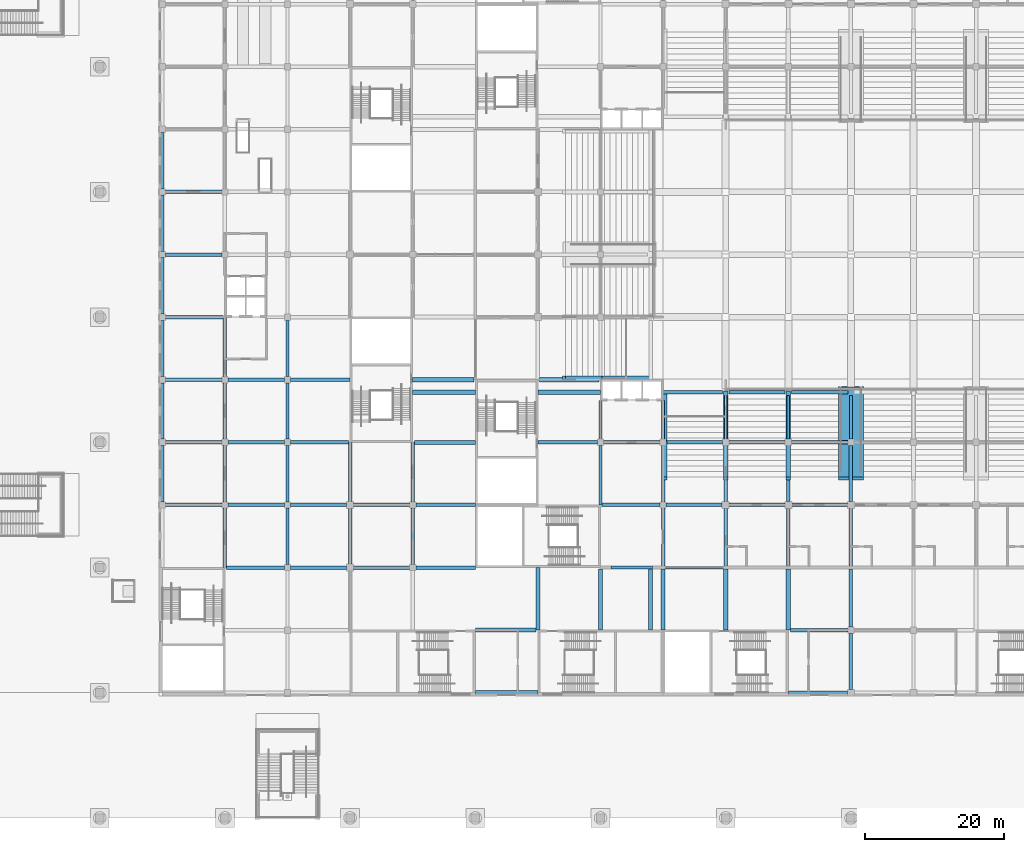
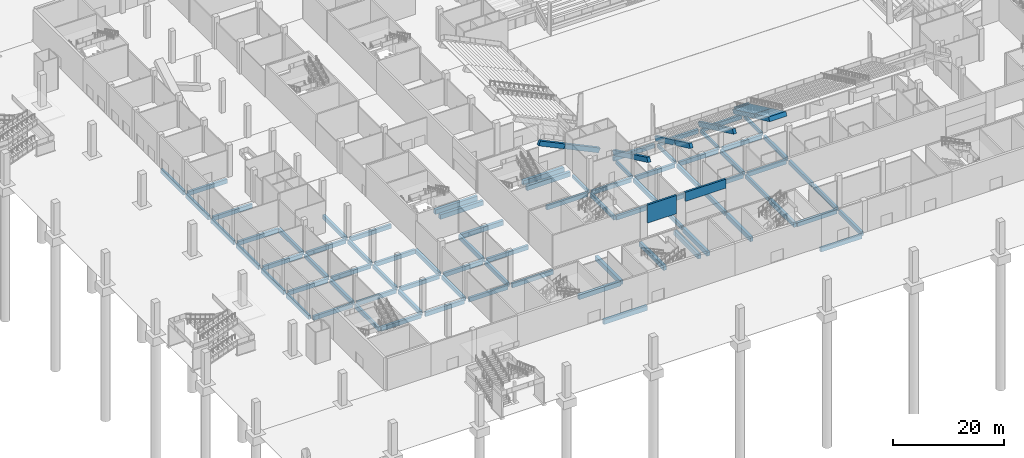
# One storey, part 11 of 92: 92 beams.
"""IFC4 building model written with IfcOpenShell, lengths in metres."""

from ifc_helpers import new_model, si_unit, direction, frame, origin, origin_2d, place, context, subcontext, project, spatial, rectangle, extrude, material, material_profile, profile_set, type_object, element, save


model = new_model("IFC4")

# Units and contexts
model_context = context("Model", 3, precision=1e-05, world=origin(), true_north=direction((0.0, 1.0)))
body_context = subcontext(model_context, "Body", "Model", "MODEL_VIEW")
ifc_project = project(units=[si_unit("LENGTHUNIT", "METRE"), si_unit("AREAUNIT", "SQUARE_METRE"), si_unit("VOLUMEUNIT", "CUBIC_METRE"), si_unit("PLANEANGLEUNIT", "RADIAN"), si_unit("MASSUNIT", "GRAM", prefix="KILO")], contexts=[model_context])

# Site, building, storey
site_placement = place(None, origin())
site = spatial("IfcSite", under=ifc_project, at=site_placement, CompositionType="ELEMENT")
building_placement = place(site_placement, origin())
building = spatial("IfcBuilding", under=site, at=building_placement, Name="Silverbay Arena", CompositionType="ELEMENT")
storey_placement = place(building_placement, origin())
storey = spatial("IfcBuildingStorey", under=building, at=storey_placement, Name="L00", CompositionType="ELEMENT", Elevation=0.0)

# Beams
ifc_material_1 = material(Name="Concrete Grade C45", Category="concrete")
ifc_material_profile_1 = material_profile(ifc_material_1, rectangle(XDim=0.39990234375, YDim=0.699951171875, at=origin_2d()), Name="RC 400x700")
ifc_profile_set_1 = profile_set([ifc_material_profile_1], Name="Concrete Grade C45")
beam_type_1 = type_object("IfcBeamType", Name="RC beam 400x700", PredefinedType="BEAM", material=ifc_profile_set_1)
for number, where, z_axis, x_axis, name in (
    (1, (90.0, 54.449951171875, -0.800048828125), (0.0, 1.0, 0.0), (-1.0, 0.0, 0.0), "Floor beam L00 294"),
    (2, (99.0, 54.449951171875, -0.800048828125), (0.0, 1.0, 0.0), (-1.0, 0.0, 0.0), "Floor beam L00 311"),
):
    element("IfcBeam", number, at=place(storey_placement, frame(where, z_axis=z_axis, x_axis=x_axis)), inside=storey, type_object=beam_type_1, Name=name, PredefinedType="BEAM", context=body_context, shape_type="SweptSolid", body=[
        extrude(rectangle(XDim=0.39990234375, YDim=0.699951171875, at=origin_2d()), origin(), (0.0, 0.0, 1.0), 5.550048828125),
    ])
for number, where, z_axis, x_axis, name in (
    (3, (108.0, 54.449951171875, -0.800048828125), (0.0, 1.0, 0.0), (-1.0, 0.0, 0.0), "Floor beam L00 319"),
    (4, (117.0, 54.449951171875, -0.800048828125), (0.0, 1.0, 0.0), (-1.0, 0.0, 0.0), "Floor beam L00 331"),
    (5, (126.0, 54.449951171875, -0.800048828125), (0.0, 1.0, 0.0), (-1.0, 0.0, 0.0), "Floor beam L00 344"),
):
    element("IfcBeam", number, at=place(storey_placement, frame(where, z_axis=z_axis, x_axis=x_axis)), inside=storey, type_object=beam_type_1, Name=name, PredefinedType="BEAM", context=body_context, shape_type="SweptSolid", body=[
        extrude(rectangle(XDim=0.39990234375, YDim=0.699951171875, at=origin_2d()), origin(), (0.0, 0.0, 1.0), 6.300048828125),
    ])
ifc_material_2 = material(Name="Concrete Grade C45", Category="concrete")
ifc_material_profile_2 = material_profile(ifc_material_2, rectangle(XDim=0.5, YDim=1.0, at=origin_2d()), Name="RC 500x1000")
ifc_profile_set_2 = profile_set([ifc_material_profile_2], Name="Concrete Grade C45")
beam_type_2 = type_object("IfcBeamType", Name="RC beam 500x1000", PredefinedType="BEAM", material=ifc_profile_set_2)
beam_1_placement = place(storey_placement, frame((63.0, 45.449951171875, -0.949951171875), z_axis=(0.0, 1.0, 0.0), x_axis=(-1.0, 0.0, 0.0)))
element("IfcBeam", 6, at=beam_1_placement, inside=storey, type_object=beam_type_2, Name="Floor beam L00 280", PredefinedType="BEAM", context=body_context, shape_type="SweptSolid", body=[
    extrude(rectangle(XDim=0.5, YDim=1.0, at=origin_2d()), origin(), (0.0, 0.0, 1.0), 8.550048828125),
])
ifc_material_3 = material(Name="Concrete Grade C45", Category="concrete")
ifc_material_profile_3 = material_profile(ifc_material_3, rectangle(XDim=0.5, YDim=0.89990234375, at=origin_2d()), Name="RC 500x900")
ifc_profile_set_3 = profile_set([ifc_material_profile_3], Name="Concrete Grade C45")
beam_type_3 = type_object("IfcBeamType", Name="RC beam 500x900", PredefinedType="BEAM", material=ifc_profile_set_3)
beam_2_placement = place(storey_placement, frame((117.0, 18.0, -0.89990234375), z_axis=(1.0, 0.0, 0.0), x_axis=(0.0, 1.0, 0.0)))
element("IfcBeam", 7, at=beam_2_placement, inside=storey, type_object=beam_type_3, Name="Floor beam L00 004", PredefinedType="BEAM", context=body_context, shape_type="SweptSolid", body=[
    extrude(rectangle(XDim=0.5, YDim=0.89990234375, at=origin_2d()), origin(), (0.0, 0.0, 1.0), 8.5),
])
beam_3_placement = place(storey_placement, frame((117.300048828125, 27.0, -0.89990234375), z_axis=(1.0, 0.0, 0.0), x_axis=(0.0, 1.0, 0.0)))
element("IfcBeam", 8, at=beam_3_placement, inside=storey, type_object=beam_type_3, Name="Floor beam L00 013", PredefinedType="BEAM", context=body_context, shape_type="SweptSolid", body=[
    extrude(rectangle(XDim=0.5, YDim=0.89990234375, at=origin_2d()), origin(), (0.0, 0.0, 1.0), 8.25),
])
beam_4_placement = place(storey_placement, frame((36.25, 36.0, -0.89990234375), z_axis=(1.0, 0.0, 0.0), x_axis=(0.0, 1.0, 0.0)))
element("IfcBeam", 9, at=beam_4_placement, inside=storey, type_object=beam_type_3, Name="Floor beam L00 019", PredefinedType="BEAM", context=body_context, shape_type="SweptSolid", body=[
    extrude(rectangle(XDim=0.5, YDim=0.89990234375, at=origin_2d()), origin(), (0.0, 0.0, 1.0), 8.300048828125),
])
for number, where, z_axis, x_axis, name in (
    (10, (45.449951171875, 36.0, -0.89990234375), (1.0, 0.0, 0.0), (0.0, 1.0, 0.0), "Floor beam L00 020"),
    (11, (54.5, 36.0, -0.89990234375), (1.0, 0.0, 0.0), (0.0, 1.0, 0.0), "Floor beam L00 021"),
):
    element("IfcBeam", number, at=place(storey_placement, frame(where, z_axis=z_axis, x_axis=x_axis)), inside=storey, type_object=beam_type_3, Name=name, PredefinedType="BEAM", context=body_context, shape_type="SweptSolid", body=[
        extrude(rectangle(XDim=0.5, YDim=0.89990234375, at=origin_2d()), origin(), (0.0, 0.0, 1.0), 8.050048828125),
    ])
beam_5_placement = place(storey_placement, frame((63.449951171875, 36.0, -0.89990234375), z_axis=(1.0, 0.0, 0.0), x_axis=(0.0, 1.0, 0.0)))
element("IfcBeam", 12, at=beam_5_placement, inside=storey, type_object=beam_type_3, Name="Floor beam L00 022", PredefinedType="BEAM", context=body_context, shape_type="SweptSolid", body=[
    extrude(rectangle(XDim=0.5, YDim=0.89990234375, at=origin_2d()), origin(), (0.0, 0.0, 1.0), 8.550048828125),
])
for number, where, z_axis, x_axis, name in (
    (13, (27.449951171875, 45.0, -0.89990234375), (1.0, 0.0, 0.0), (0.0, 1.0, 0.0), "Floor beam L00 027"),
    (14, (36.449951171875, 45.0, -0.89990234375), (1.0, 0.0, 0.0), (0.0, 1.0, 0.0), "Floor beam L00 028"),
):
    element("IfcBeam", number, at=place(storey_placement, frame(where, z_axis=z_axis, x_axis=x_axis)), inside=storey, type_object=beam_type_3, Name=name, PredefinedType="BEAM", context=body_context, shape_type="SweptSolid", body=[
        extrude(rectangle(XDim=0.5, YDim=0.89990234375, at=origin_2d()), origin(), (0.0, 0.0, 1.0), 8.10009765625),
    ])
for number, where, z_axis, x_axis, name in (
    (15, (45.449951171875, 45.0, -0.89990234375), (1.0, 0.0, 0.0), (0.0, 1.0, 0.0), "Floor beam L00 029"),
    (16, (54.5, 45.0, -0.89990234375), (1.0, 0.0, 0.0), (0.0, 1.0, 0.0), "Floor beam L00 030"),
):
    element("IfcBeam", number, at=place(storey_placement, frame(where, z_axis=z_axis, x_axis=x_axis)), inside=storey, type_object=beam_type_3, Name=name, PredefinedType="BEAM", context=body_context, shape_type="SweptSolid", body=[
        extrude(rectangle(XDim=0.5, YDim=0.89990234375, at=origin_2d()), origin(), (0.0, 0.0, 1.0), 8.050048828125),
    ])
beam_6_placement = place(storey_placement, frame((63.449951171875, 45.0, -0.89990234375), z_axis=(1.0, 0.0, 0.0), x_axis=(0.0, 1.0, 0.0)))
element("IfcBeam", 17, at=beam_6_placement, inside=storey, type_object=beam_type_3, Name="Floor beam L00 031", PredefinedType="BEAM", context=body_context, shape_type="SweptSolid", body=[
    extrude(rectangle(XDim=0.5, YDim=0.89990234375, at=origin_2d()), origin(), (0.0, 0.0, 1.0), 8.550048828125),
])
beam_7_placement = place(storey_placement, frame((90.25, 45.0, -0.89990234375), z_axis=(1.0, 0.0, 0.0), x_axis=(0.0, 1.0, 0.0)))
element("IfcBeam", 18, at=beam_7_placement, inside=storey, type_object=beam_type_3, Name="Floor beam L00 032", PredefinedType="BEAM", context=body_context, shape_type="SweptSolid", body=[
    extrude(rectangle(XDim=0.5, YDim=0.89990234375, at=origin_2d()), origin(), (0.0, 0.0, 1.0), 8.300048828125),
])
beam_8_placement = place(storey_placement, frame((99.449951171875, 45.0, -0.89990234375), z_axis=(1.0, 0.0, 0.0), x_axis=(0.0, 1.0, 0.0)))
element("IfcBeam", 19, at=beam_8_placement, inside=storey, type_object=beam_type_3, Name="Floor beam L00 033", PredefinedType="BEAM", context=body_context, shape_type="SweptSolid", body=[
    extrude(rectangle(XDim=0.5, YDim=0.89990234375, at=origin_2d()), origin(), (0.0, 0.0, 1.0), 8.050048828125),
])
for number, where, z_axis, x_axis, name in (
    (20, (108.5, 45.0, -0.89990234375), (1.0, 0.0, 0.0), (0.0, 1.0, 0.0), "Floor beam L00 034"),
    (21, (117.5, 45.0, -0.89990234375), (1.0, 0.0, 0.0), (0.0, 1.0, 0.0), "Floor beam L00 035"),
):
    element("IfcBeam", number, at=place(storey_placement, frame(where, z_axis=z_axis, x_axis=x_axis)), inside=storey, type_object=beam_type_3, Name=name, PredefinedType="BEAM", context=body_context, shape_type="SweptSolid", body=[
        extrude(rectangle(XDim=0.5, YDim=0.89990234375, at=origin_2d()), origin(), (0.0, 0.0, 1.0), 8.0),
    ])
for number, where, z_axis, x_axis, name in (
    (22, (27.449951171875, 54.0, -0.89990234375), (1.0, 0.0, 0.0), (0.0, 1.0, 0.0), "Floor beam L00 046"),
    (23, (36.449951171875, 54.0, -0.89990234375), (1.0, 0.0, 0.0), (0.0, 1.0, 0.0), "Floor beam L00 047"),
):
    element("IfcBeam", number, at=place(storey_placement, frame(where, z_axis=z_axis, x_axis=x_axis)), inside=storey, type_object=beam_type_3, Name=name, PredefinedType="BEAM", context=body_context, shape_type="SweptSolid", body=[
        extrude(rectangle(XDim=0.5, YDim=0.89990234375, at=origin_2d()), origin(), (0.0, 0.0, 1.0), 8.10009765625),
    ])
beam_9_placement = place(storey_placement, frame((45.449951171875, 54.0, -0.89990234375), z_axis=(1.0, 0.0, 0.0), x_axis=(0.0, 1.0, 0.0)))
element("IfcBeam", 24, at=beam_9_placement, inside=storey, type_object=beam_type_3, Name="Floor beam L00 048", PredefinedType="BEAM", context=body_context, shape_type="SweptSolid", body=[
    extrude(rectangle(XDim=0.5, YDim=0.89990234375, at=origin_2d()), origin(), (0.0, 0.0, 1.0), 8.300048828125),
])
beam_10_placement = place(storey_placement, frame((81.0, 54.0, -0.89990234375), z_axis=(1.0, 0.0, 0.0), x_axis=(0.0, 1.0, 0.0)))
element("IfcBeam", 25, at=beam_10_placement, inside=storey, type_object=beam_type_3, Name="Floor beam L00 050", PredefinedType="BEAM", context=body_context, shape_type="SweptSolid", body=[
    extrude(rectangle(XDim=0.5, YDim=0.89990234375, at=origin_2d()), origin(), (0.0, 0.0, 1.0), 8.550048828125),
])
for number, where, z_axis, x_axis, name in (
    (26, (90.449951171875, 54.0, -0.89990234375), (1.0, 0.0, 0.0), (0.0, 1.0, 0.0), "Floor beam L00 051"),
    (27, (99.449951171875, 54.0, -0.89990234375), (1.0, 0.0, 0.0), (0.0, 1.0, 0.0), "Floor beam L00 052"),
    (28, (108.449951171875, 54.0, -0.89990234375), (1.0, 0.0, 0.0), (0.0, 1.0, 0.0), "Floor beam L00 053"),
    (29, (117.449951171875, 54.0, -0.89990234375), (1.0, 0.0, 0.0), (0.0, 1.0, 0.0), "Floor beam L00 054"),
):
    element("IfcBeam", number, at=place(storey_placement, frame(where, z_axis=z_axis, x_axis=x_axis)), inside=storey, type_object=beam_type_3, Name=name, PredefinedType="BEAM", context=body_context, shape_type="SweptSolid", body=[
        extrude(rectangle(XDim=0.5, YDim=0.89990234375, at=origin_2d()), origin(), (0.0, 0.0, 1.0), 8.10009765625),
    ])
beam_11_placement = place(storey_placement, frame((99.0, 61.199951171875, -0.89990234375), z_axis=(1.0, 0.0, 0.0), x_axis=(0.0, 1.0, 0.0)))
element("IfcBeam", 30, at=beam_11_placement, inside=storey, type_object=beam_type_3, Name="Floor beam L00 067", PredefinedType="BEAM", context=body_context, shape_type="SweptSolid", body=[
    extrude(rectangle(XDim=0.5, YDim=0.89990234375, at=origin_2d()), origin(), (0.0, 0.0, 1.0), 8.550048828125),
])
for number, where, z_axis, x_axis, name in (
    (31, (108.449951171875, 61.199951171875, -0.89990234375), (1.0, 0.0, 0.0), (0.0, 1.0, 0.0), "Floor beam L00 068"),
    (32, (117.449951171875, 61.199951171875, -0.89990234375), (1.0, 0.0, 0.0), (0.0, 1.0, 0.0), "Floor beam L00 069"),
    (33, (27.449951171875, 63.0, -0.89990234375), (1.0, 0.0, 0.0), (0.0, 1.0, 0.0), "Floor beam L00 076"),
    (34, (36.449951171875, 63.0, -0.89990234375), (1.0, 0.0, 0.0), (0.0, 1.0, 0.0), "Floor beam L00 077"),
):
    element("IfcBeam", number, at=place(storey_placement, frame(where, z_axis=z_axis, x_axis=x_axis)), inside=storey, type_object=beam_type_3, Name=name, PredefinedType="BEAM", context=body_context, shape_type="SweptSolid", body=[
        extrude(rectangle(XDim=0.5, YDim=0.89990234375, at=origin_2d()), origin(), (0.0, 0.0, 1.0), 8.10009765625),
    ])
beam_12_placement = place(storey_placement, frame((45.449951171875, 63.0, -0.89990234375), z_axis=(1.0, 0.0, 0.0), x_axis=(0.0, 1.0, 0.0)))
element("IfcBeam", 35, at=beam_12_placement, inside=storey, type_object=beam_type_3, Name="Floor beam L00 078", PredefinedType="BEAM", context=body_context, shape_type="SweptSolid", body=[
    extrude(rectangle(XDim=0.5, YDim=0.89990234375, at=origin_2d()), origin(), (0.0, 0.0, 1.0), 8.550048828125),
])
beam_13_placement = place(storey_placement, frame((27.449951171875, 72.0, -0.89990234375), z_axis=(1.0, 0.0, 0.0), x_axis=(0.0, 1.0, 0.0)))
element("IfcBeam", 36, at=beam_13_placement, inside=storey, type_object=beam_type_3, Name="Floor beam L00 086", PredefinedType="BEAM", context=body_context, shape_type="SweptSolid", body=[
    extrude(rectangle(XDim=0.5, YDim=0.89990234375, at=origin_2d()), origin(), (0.0, 0.0, 1.0), 8.300048828125),
])
for number, where, z_axis, x_axis, name in (
    (37, (27.449951171875, 81.0, -0.89990234375), (1.0, 0.0, 0.0), (0.0, 1.0, 0.0), "Floor beam L00 107"),
    (38, (27.449951171875, 90.0, -0.89990234375), (1.0, 0.0, 0.0), (0.0, 1.0, 0.0), "Floor beam L00 130"),
    (39, (27.0, 45.449951171875, -0.89990234375), (0.0, 1.0, 0.0), (-1.0, 0.0, 0.0), "Floor beam L00 237"),
    (40, (27.0, 54.449951171875, -0.89990234375), (0.0, 1.0, 0.0), (-1.0, 0.0, 0.0), "Floor beam L00 238"),
    (41, (27.0, 63.449951171875, -0.89990234375), (0.0, 1.0, 0.0), (-1.0, 0.0, 0.0), "Floor beam L00 239"),
    (42, (27.0, 72.449951171875, -0.89990234375), (0.0, 1.0, 0.0), (-1.0, 0.0, 0.0), "Floor beam L00 240"),
    (43, (27.0, 81.449951171875, -0.89990234375), (0.0, 1.0, 0.0), (-1.0, 0.0, 0.0), "Floor beam L00 241"),
    (44, (27.0, 90.449951171875, -0.89990234375), (0.0, 1.0, 0.0), (-1.0, 0.0, 0.0), "Floor beam L00 242"),
):
    element("IfcBeam", number, at=place(storey_placement, frame(where, z_axis=z_axis, x_axis=x_axis)), inside=storey, type_object=beam_type_3, Name=name, PredefinedType="BEAM", context=body_context, shape_type="SweptSolid", body=[
        extrude(rectangle(XDim=0.5, YDim=0.89990234375, at=origin_2d()), origin(), (0.0, 0.0, 1.0), 8.10009765625),
    ])
beam_14_placement = place(storey_placement, frame((36.0, 36.0, -0.89990234375), z_axis=(0.0, 1.0, 0.0), x_axis=(-1.0, 0.0, 0.0)))
element("IfcBeam", 45, at=beam_14_placement, inside=storey, type_object=beam_type_3, Name="Floor beam L00 246", PredefinedType="BEAM", context=body_context, shape_type="SweptSolid", body=[
    extrude(rectangle(XDim=0.5, YDim=0.89990234375, at=origin_2d()), origin(), (0.0, 0.0, 1.0), 8.550048828125),
])
for number, where, z_axis, x_axis, name in (
    (46, (36.0, 45.449951171875, -0.89990234375), (0.0, 1.0, 0.0), (-1.0, 0.0, 0.0), "Floor beam L00 247"),
    (47, (36.0, 54.449951171875, -0.89990234375), (0.0, 1.0, 0.0), (-1.0, 0.0, 0.0), "Floor beam L00 248"),
):
    element("IfcBeam", number, at=place(storey_placement, frame(where, z_axis=z_axis, x_axis=x_axis)), inside=storey, type_object=beam_type_3, Name=name, PredefinedType="BEAM", context=body_context, shape_type="SweptSolid", body=[
        extrude(rectangle(XDim=0.5, YDim=0.89990234375, at=origin_2d()), origin(), (0.0, 0.0, 1.0), 8.10009765625),
    ])
beam_15_placement = place(storey_placement, frame((36.0, 63.449951171875, -0.89990234375), z_axis=(0.0, 1.0, 0.0), x_axis=(-1.0, 0.0, 0.0)))
element("IfcBeam", 48, at=beam_15_placement, inside=storey, type_object=beam_type_3, Name="Floor beam L00 249", PredefinedType="BEAM", context=body_context, shape_type="SweptSolid", body=[
    extrude(rectangle(XDim=0.5, YDim=0.89990234375, at=origin_2d()), origin(), (0.0, 0.0, 1.0), 8.550048828125),
])
for number, where, z_axis, x_axis, name in (
    (49, (45.0, 36.449951171875, -0.89990234375), (0.0, 1.0, 0.0), (-1.0, 0.0, 0.0), "Floor beam L00 258"),
    (50, (45.0, 45.449951171875, -0.89990234375), (0.0, 1.0, 0.0), (-1.0, 0.0, 0.0), "Floor beam L00 259"),
    (51, (45.0, 54.449951171875, -0.89990234375), (0.0, 1.0, 0.0), (-1.0, 0.0, 0.0), "Floor beam L00 260"),
    (52, (45.0, 63.449951171875, -0.89990234375), (0.0, 1.0, 0.0), (-1.0, 0.0, 0.0), "Floor beam L00 261"),
):
    element("IfcBeam", number, at=place(storey_placement, frame(where, z_axis=z_axis, x_axis=x_axis)), inside=storey, type_object=beam_type_3, Name=name, PredefinedType="BEAM", context=body_context, shape_type="SweptSolid", body=[
        extrude(rectangle(XDim=0.5, YDim=0.89990234375, at=origin_2d()), origin(), (0.0, 0.0, 1.0), 8.10009765625),
    ])
beam_16_placement = place(storey_placement, frame((54.0, 36.5, -0.89990234375), z_axis=(0.0, 1.0, 0.0), x_axis=(-1.0, 0.0, 0.0)))
element("IfcBeam", 53, at=beam_16_placement, inside=storey, type_object=beam_type_3, Name="Floor beam L00 271", PredefinedType="BEAM", context=body_context, shape_type="SweptSolid", body=[
    extrude(rectangle(XDim=0.5, YDim=0.89990234375, at=origin_2d()), origin(), (0.0, 0.0, 1.0), 8.0),
])
beam_17_placement = place(storey_placement, frame((54.0, 45.5, -0.89990234375), z_axis=(0.0, 1.0, 0.0), x_axis=(-1.0, 0.0, 0.0)))
element("IfcBeam", 54, at=beam_17_placement, inside=storey, type_object=beam_type_3, Name="Floor beam L00 272", PredefinedType="BEAM", context=body_context, shape_type="SweptSolid", body=[
    extrude(rectangle(XDim=0.5, YDim=0.89990234375, at=origin_2d()), origin(), (0.0, 0.0, 1.0), 8.5),
])
beam_18_placement = place(storey_placement, frame((63.0, 36.449951171875, -0.89990234375), z_axis=(0.0, 1.0, 0.0), x_axis=(-1.0, 0.0, 0.0)))
element("IfcBeam", 55, at=beam_18_placement, inside=storey, type_object=beam_type_3, Name="Floor beam L00 279", PredefinedType="BEAM", context=body_context, shape_type="SweptSolid", body=[
    extrude(rectangle(XDim=0.5, YDim=0.89990234375, at=origin_2d()), origin(), (0.0, 0.0, 1.0), 8.10009765625),
])
beam_19_placement = place(storey_placement, frame((90.0, 45.0, -0.89990234375), z_axis=(0.0, 1.0, 0.0), x_axis=(-1.0, 0.0, 0.0)))
element("IfcBeam", 56, at=beam_19_placement, inside=storey, type_object=beam_type_3, Name="Floor beam L00 293", PredefinedType="BEAM", context=body_context, shape_type="SweptSolid", body=[
    extrude(rectangle(XDim=0.5, YDim=0.89990234375, at=origin_2d()), origin(), (0.0, 0.0, 1.0), 8.550048828125),
])
beam_20_placement = place(storey_placement, frame((99.0, 36.199951171875, -0.89990234375), z_axis=(0.0, 1.0, 0.0), x_axis=(-1.0, 0.0, 0.0)))
element("IfcBeam", 57, at=beam_20_placement, inside=storey, type_object=beam_type_3, Name="Floor beam L00 309", PredefinedType="BEAM", context=body_context, shape_type="SweptSolid", body=[
    extrude(rectangle(XDim=0.5, YDim=0.89990234375, at=origin_2d()), origin(), (0.0, 0.0, 1.0), 8.35009765625),
])
beam_21_placement = place(storey_placement, frame((99.0, 45.449951171875, -0.89990234375), z_axis=(0.0, 1.0, 0.0), x_axis=(-1.0, 0.0, 0.0)))
element("IfcBeam", 58, at=beam_21_placement, inside=storey, type_object=beam_type_3, Name="Floor beam L00 310", PredefinedType="BEAM", context=body_context, shape_type="SweptSolid", body=[
    extrude(rectangle(XDim=0.5, YDim=0.89990234375, at=origin_2d()), origin(), (0.0, 0.0, 1.0), 8.10009765625),
])
beam_22_placement = place(storey_placement, frame((108.0, 36.199951171875, -0.89990234375), z_axis=(0.0, 1.0, 0.0), x_axis=(-1.0, 0.0, 0.0)))
element("IfcBeam", 59, at=beam_22_placement, inside=storey, type_object=beam_type_3, Name="Floor beam L00 317", PredefinedType="BEAM", context=body_context, shape_type="SweptSolid", body=[
    extrude(rectangle(XDim=0.5, YDim=0.89990234375, at=origin_2d()), origin(), (0.0, 0.0, 1.0), 8.300048828125),
])
beam_23_placement = place(storey_placement, frame((108.0, 45.5, -0.89990234375), z_axis=(0.0, 1.0, 0.0), x_axis=(-1.0, 0.0, 0.0)))
element("IfcBeam", 60, at=beam_23_placement, inside=storey, type_object=beam_type_3, Name="Floor beam L00 318", PredefinedType="BEAM", context=body_context, shape_type="SweptSolid", body=[
    extrude(rectangle(XDim=0.5, YDim=0.89990234375, at=origin_2d()), origin(), (0.0, 0.0, 1.0), 8.050048828125),
])
beam_24_placement = place(storey_placement, frame((117.0, 36.199951171875, -0.89990234375), z_axis=(0.0, 1.0, 0.0), x_axis=(-1.0, 0.0, 0.0)))
element("IfcBeam", 61, at=beam_24_placement, inside=storey, type_object=beam_type_3, Name="Floor beam L00 329", PredefinedType="BEAM", context=body_context, shape_type="SweptSolid", body=[
    extrude(rectangle(XDim=0.5, YDim=0.89990234375, at=origin_2d()), origin(), (0.0, 0.0, 1.0), 8.300048828125),
])
for number, where, z_axis, x_axis, name in (
    (62, (117.0, 45.5, -0.89990234375), (0.0, 1.0, 0.0), (-1.0, 0.0, 0.0), "Floor beam L00 330"),
    (63, (126.0, 18.5, -0.89990234375), (0.0, 1.0, 0.0), (-1.0, 0.0, 0.0), "Floor beam L00 340"),
):
    element("IfcBeam", number, at=place(storey_placement, frame(where, z_axis=z_axis, x_axis=x_axis)), inside=storey, type_object=beam_type_3, Name=name, PredefinedType="BEAM", context=body_context, shape_type="SweptSolid", body=[
        extrude(rectangle(XDim=0.5, YDim=0.89990234375, at=origin_2d()), origin(), (0.0, 0.0, 1.0), 8.050048828125),
    ])
beam_25_placement = place(storey_placement, frame((126.0, 27.449951171875, -0.89990234375), z_axis=(0.0, 1.0, 0.0), x_axis=(-1.0, 0.0, 0.0)))
element("IfcBeam", 64, at=beam_25_placement, inside=storey, type_object=beam_type_3, Name="Floor beam L00 341", PredefinedType="BEAM", context=body_context, shape_type="SweptSolid", body=[
    extrude(rectangle(XDim=0.5, YDim=0.89990234375, at=origin_2d()), origin(), (0.0, 0.0, 1.0), 8.35009765625),
])
beam_26_placement = place(storey_placement, frame((126.0, 36.199951171875, -0.89990234375), z_axis=(0.0, 1.0, 0.0), x_axis=(-1.0, 0.0, 0.0)))
element("IfcBeam", 65, at=beam_26_placement, inside=storey, type_object=beam_type_3, Name="Floor beam L00 342", PredefinedType="BEAM", context=body_context, shape_type="SweptSolid", body=[
    extrude(rectangle(XDim=0.5, YDim=0.89990234375, at=origin_2d()), origin(), (0.0, 0.0, 1.0), 8.300048828125),
])
beam_27_placement = place(storey_placement, frame((126.0, 45.5, -0.89990234375), z_axis=(0.0, 1.0, 0.0), x_axis=(-1.0, 0.0, 0.0)))
element("IfcBeam", 66, at=beam_27_placement, inside=storey, type_object=beam_type_3, Name="Floor beam L00 343", PredefinedType="BEAM", context=body_context, shape_type="SweptSolid", body=[
    extrude(rectangle(XDim=0.5, YDim=0.89990234375, at=origin_2d()), origin(), (0.0, 0.0, 1.0), 8.050048828125),
])
ifc_material_4 = material(Name="Concrete Grade C45", Category="concrete")
ifc_material_profile_4 = material_profile(ifc_material_4, rectangle(XDim=0.60009765625, YDim=1.0, at=origin_2d()), Name="RC 600x1000")
ifc_profile_set_4 = profile_set([ifc_material_profile_4], Name="Concrete Grade C45")
beam_type_4 = type_object("IfcBeamType", Name="RC beam 600x1000", PredefinedType="BEAM", material=ifc_profile_set_4)
beam_28_placement = place(storey_placement, frame((72.0, 18.0, -0.949951171875), z_axis=(1.0, 0.0, 0.0), x_axis=(0.0, 1.0, 0.0)))
element("IfcBeam", 67, at=beam_28_placement, inside=storey, type_object=beam_type_4, Name="Floor beam L00 003", PredefinedType="BEAM", context=body_context, shape_type="SweptSolid", body=[
    extrude(rectangle(XDim=0.60009765625, YDim=1.0, at=origin_2d()), origin(), (0.0, 0.0, 1.0), 9.0),
])
beam_29_placement = place(storey_placement, frame((72.0, 27.0, -0.949951171875), z_axis=(1.0, 0.0, 0.0), x_axis=(0.0, 1.0, 0.0)))
element("IfcBeam", 68, at=beam_29_placement, inside=storey, type_object=beam_type_4, Name="Floor beam L00 012", PredefinedType="BEAM", context=body_context, shape_type="SweptSolid", body=[
    extrude(rectangle(XDim=0.60009765625, YDim=1.0, at=origin_2d()), origin(), (0.0, 0.0, 1.0), 8.699951171875),
])
beam_30_placement = place(storey_placement, frame((63.25, 54.0, -0.949951171875), z_axis=(1.0, 0.0, 0.0), x_axis=(0.0, 1.0, 0.0)))
element("IfcBeam", 69, at=beam_30_placement, inside=storey, type_object=beam_type_4, Name="Floor beam L00 049", PredefinedType="BEAM", context=body_context, shape_type="SweptSolid", body=[
    extrude(rectangle(XDim=0.60009765625, YDim=1.0, at=origin_2d()), origin(), (0.0, 0.0, 1.0), 8.75),
])
for number, where, z_axis, x_axis, name in (
    (70, (63.0, 61.199951171875, -0.949951171875), (1.0, 0.0, 0.0), (0.0, 1.0, 0.0), "Floor beam L00 065"),
    (71, (81.0, 61.199951171875, -0.949951171875), (1.0, 0.0, 0.0), (0.0, 1.0, 0.0), "Floor beam L00 066"),
):
    element("IfcBeam", number, at=place(storey_placement, frame(where, z_axis=z_axis, x_axis=x_axis)), inside=storey, type_object=beam_type_4, Name=name, PredefinedType="BEAM", context=body_context, shape_type="SweptSolid", body=[
        extrude(rectangle(XDim=0.60009765625, YDim=1.0, at=origin_2d()), origin(), (0.0, 0.0, 1.0), 9.0),
    ])
beam_31_placement = place(storey_placement, frame((63.0, 63.0, -0.949951171875), z_axis=(1.0, 0.0, 0.0), x_axis=(0.0, 1.0, 0.0)))
element("IfcBeam", 72, at=beam_31_placement, inside=storey, type_object=beam_type_4, Name="Floor beam L00 079", PredefinedType="BEAM", context=body_context, shape_type="SweptSolid", body=[
    extrude(rectangle(XDim=0.60009765625, YDim=1.0, at=origin_2d()), origin(), (0.0, 0.0, 1.0), 8.800048828125),
])
beam_32_placement = place(storey_placement, frame((81.25, 63.0, -0.949951171875), z_axis=(1.0, 0.0, 0.0), x_axis=(0.0, 1.0, 0.0)))
element("IfcBeam", 73, at=beam_32_placement, inside=storey, type_object=beam_type_4, Name="Floor beam L00 080", PredefinedType="BEAM", context=body_context, shape_type="SweptSolid", body=[
    extrude(rectangle(XDim=0.60009765625, YDim=1.0, at=origin_2d()), origin(), (0.0, 0.0, 1.0), 8.5),
])
beam_33_placement = place(storey_placement, frame((81.0, 27.0, -0.949951171875), z_axis=(0.0, 1.0, 0.0), x_axis=(-1.0, 0.0, 0.0)))
element("IfcBeam", 74, at=beam_33_placement, inside=storey, type_object=beam_type_4, Name="Floor beam L00 286", PredefinedType="BEAM", context=body_context, shape_type="SweptSolid", body=[
    extrude(rectangle(XDim=0.60009765625, YDim=1.0, at=origin_2d()), origin(), (0.0, 0.0, 1.0), 9.0),
])
for number, where, z_axis, x_axis, name in (
    (75, (90.0, 27.0, -0.949951171875), (0.0, 1.0, 0.0), (-1.0, 0.0, 0.0), "Floor beam L00 292"),
    (76, (97.199951171875, 27.0, -0.949951171875), (0.0, 1.0, 0.0), (-1.0, 0.0, 0.0), "Floor beam L00 302"),
    (77, (99.0, 27.0, -0.949951171875), (0.0, 1.0, 0.0), (-1.0, 0.0, 0.0), "Floor beam L00 308"),
    (78, (108.0, 27.0, -0.949951171875), (0.0, 1.0, 0.0), (-1.0, 0.0, 0.0), "Floor beam L00 316"),
    (79, (117.0, 27.0, -0.949951171875), (0.0, 1.0, 0.0), (-1.0, 0.0, 0.0), "Floor beam L00 328"),
):
    element("IfcBeam", number, at=place(storey_placement, frame(where, z_axis=z_axis, x_axis=x_axis)), inside=storey, type_object=beam_type_4, Name=name, PredefinedType="BEAM", context=body_context, shape_type="SweptSolid", body=[
        extrude(rectangle(XDim=0.60009765625, YDim=1.0, at=origin_2d()), origin(), (0.0, 0.0, 1.0), 8.800048828125),
    ])
ifc_material_5 = material(Name="Concrete Grade C45", Category="concrete")
ifc_material_profile_5 = material_profile(ifc_material_5, rectangle(XDim=0.300048828125, YDim=0.298828125, at=origin_2d()), Name="RC 300x299")
ifc_profile_set_5 = profile_set([ifc_material_profile_5], Name="Concrete Grade C45")
beam_type_5 = type_object("IfcBeamType", Name="RC foot plinth 300x299", PredefinedType="BEAM", material=ifc_profile_set_5)
beam_34_placement = place(storey_placement, frame((124.5, 61.800048828125, 0.960693359375), z_axis=(1.0, 0.0, 0.0), x_axis=(0.0, 1.0, 0.0)))
element("IfcBeam", 80, at=beam_34_placement, inside=storey, type_object=beam_type_5, Name="Foot plinth South lower 126", PredefinedType="BEAM", context=body_context, shape_type="SweptSolid", body=[
    extrude(rectangle(XDim=0.300048828125, YDim=0.298828125, at=origin_2d()), origin(), (0.0, 0.0, 1.0), 3.0),
])
ifc_material_6 = material(Name="Concrete Grade C45", Category="concrete")
ifc_material_profile_6 = material_profile(ifc_material_6, rectangle(XDim=0.39990234375, YDim=2.0, at=origin_2d()), Name="RC 400x2000")
ifc_profile_set_6 = profile_set([ifc_material_profile_6], Name="Concrete Grade C45")
beam_type_6 = type_object("IfcBeamType", Name="RC lintel 400x2000", PredefinedType="BEAM", material=ifc_profile_set_6)
beam_35_placement = place(storey_placement, frame((99.300048828125, 36.0, 6.0), z_axis=(1.0, 0.0, 0.0), x_axis=(0.0, 1.0, 0.0)))
element("IfcBeam", 81, at=beam_35_placement, inside=storey, type_object=beam_type_6, Name="Lintel over portal L00-TSW", PredefinedType="BEAM", context=body_context, shape_type="SweptSolid", body=[
    extrude(rectangle(XDim=0.39990234375, YDim=2.0, at=origin_2d()), origin(), (0.0, 0.0, 1.0), 8.39990234375),
])
ifc_material_7 = material(Name="Concrete Grade C45", Category="concrete")
ifc_material_profile_7 = material_profile(ifc_material_7, rectangle(XDim=0.39990234375, YDim=4.0, at=origin_2d()), Name="RC 400x4000")
ifc_profile_set_7 = profile_set([ifc_material_profile_7], Name="Concrete Grade C45")
beam_type_7 = type_object("IfcBeamType", Name="RC lintel 400x4000", PredefinedType="BEAM", material=ifc_profile_set_7)
beam_36_placement = place(storey_placement, frame((91.5, 36.0, 5.0), z_axis=(1.0, 0.0, 0.0), x_axis=(0.0, 1.0, 0.0)))
element("IfcBeam", 82, at=beam_36_placement, inside=storey, type_object=beam_type_7, Name="Lintel over portal L00-SW", PredefinedType="BEAM", context=body_context, shape_type="SweptSolid", body=[
    extrude(rectangle(XDim=0.39990234375, YDim=4.0, at=origin_2d()), origin(), (0.0, 0.0, 1.0), 6.0),
])
ifc_material_8 = material(Name="Concrete Grade C45", Category="concrete")
ifc_material_profile_8 = material_profile(ifc_material_8, rectangle(XDim=3.60009765625, YDim=0.89990234375, at=origin_2d()), Name="RC 3600x900")
ifc_profile_set_8 = profile_set([ifc_material_profile_8], Name="Concrete Grade C45")
beam_type_8 = type_object("IfcBeamType", Name="RC tier raker 3600x900", PredefinedType="BEAM", material=ifc_profile_set_8)
beam_37_placement = place(storey_placement, frame((126.0, 61.800048828125, 0.24169921875), z_axis=(0.0, -0.903275038974, 0.429062004804), x_axis=(1.0, 0.0, 0.0)))
element("IfcBeam", 83, at=beam_37_placement, inside=storey, type_object=beam_type_8, Name="Raker South lower 126 front", PredefinedType="BEAM", context=body_context, shape_type="SweptSolid", body=[
    extrude(rectangle(XDim=3.60009765625, YDim=0.89990234375, at=origin_2d()), origin(), (0.0, 0.0, 1.0), 8.63525390625),
])
beam_38_placement = place(storey_placement, frame((126.0, 54.0, 3.94677734375), z_axis=(0.0, -0.903272978458, 0.429066342642), x_axis=(1.0, 0.0, 0.0)))
element("IfcBeam", 84, at=beam_38_placement, inside=storey, type_object=beam_type_8, Name="Raker South lower 126 back", PredefinedType="BEAM", context=body_context, shape_type="SweptSolid", body=[
    extrude(rectangle(XDim=3.60009765625, YDim=0.89990234375, at=origin_2d()), origin(), (0.0, 0.0, 1.0), 5.749267578125),
])
ifc_material_9 = material(Name="Concrete Grade C45", Category="concrete")
ifc_material_profile_9 = material_profile(ifc_material_9, rectangle(XDim=0.60009765625, YDim=1.0, at=origin_2d()), Name="RC 600x1000")
ifc_profile_set_9 = profile_set([ifc_material_profile_9], Name="Concrete Grade C45")
beam_type_9 = type_object("IfcBeamType", Name="RC tier raker 600x1000", PredefinedType="BEAM", material=ifc_profile_set_9)
beam_39_placement = place(storey_placement, frame((99.25, 61.199951171875, 0.471435546875), z_axis=(0.0, -0.903280175199, 0.429051191692), x_axis=(1.0, 0.0, 0.0)))
element("IfcBeam", 85, at=beam_39_placement, inside=storey, type_object=beam_type_9, Name="Raker South lower 99 front", PredefinedType="BEAM", context=body_context, shape_type="SweptSolid", body=[
    extrude(rectangle(XDim=0.60009765625, YDim=1.0, at=origin_2d()), origin(), (0.0, 0.0, 1.0), 7.970947265625),
])
beam_40_placement = place(storey_placement, frame((99.25, 54.0, 3.891357421875), z_axis=(0.0, -0.903269719071, 0.429073204255), x_axis=(1.0, 0.0, 0.0)))
element("IfcBeam", 86, at=beam_40_placement, inside=storey, type_object=beam_type_9, Name="Raker South lower 99 back", PredefinedType="BEAM", context=body_context, shape_type="SweptSolid", body=[
    extrude(rectangle(XDim=0.60009765625, YDim=1.0, at=origin_2d()), origin(), (0.0, 0.0, 1.0), 5.77294921875),
])
beam_41_placement = place(storey_placement, frame((108.0, 61.199951171875, 0.471435546875), z_axis=(0.0, -0.903280175199, 0.429051191692), x_axis=(1.0, 0.0, 0.0)))
element("IfcBeam", 87, at=beam_41_placement, inside=storey, type_object=beam_type_9, Name="Raker South lower 108 front", PredefinedType="BEAM", context=body_context, shape_type="SweptSolid", body=[
    extrude(rectangle(XDim=0.60009765625, YDim=1.0, at=origin_2d()), origin(), (0.0, 0.0, 1.0), 7.970947265625),
])
beam_42_placement = place(storey_placement, frame((108.0, 54.0, 3.891357421875), z_axis=(0.0, -0.903269719071, 0.429073204255), x_axis=(1.0, 0.0, 0.0)))
element("IfcBeam", 88, at=beam_42_placement, inside=storey, type_object=beam_type_9, Name="Raker South lower 108 back", PredefinedType="BEAM", context=body_context, shape_type="SweptSolid", body=[
    extrude(rectangle(XDim=0.60009765625, YDim=1.0, at=origin_2d()), origin(), (0.0, 0.0, 1.0), 5.77294921875),
])
beam_43_placement = place(storey_placement, frame((117.0, 61.199951171875, 0.471435546875), z_axis=(0.0, -0.903280175199, 0.429051191692), x_axis=(1.0, 0.0, 0.0)))
element("IfcBeam", 89, at=beam_43_placement, inside=storey, type_object=beam_type_9, Name="Raker South lower 117 front", PredefinedType="BEAM", context=body_context, shape_type="SweptSolid", body=[
    extrude(rectangle(XDim=0.60009765625, YDim=1.0, at=origin_2d()), origin(), (0.0, 0.0, 1.0), 7.970947265625),
])
beam_44_placement = place(storey_placement, frame((117.0, 54.0, 3.891357421875), z_axis=(0.0, -0.903269719071, 0.429073204255), x_axis=(1.0, 0.0, 0.0)))
element("IfcBeam", 90, at=beam_44_placement, inside=storey, type_object=beam_type_9, Name="Raker South lower 117 back", PredefinedType="BEAM", context=body_context, shape_type="SweptSolid", body=[
    extrude(rectangle(XDim=0.60009765625, YDim=1.0, at=origin_2d()), origin(), (0.0, 0.0, 1.0), 5.77294921875),
])
beam_45_placement = place(storey_placement, frame((97.199951171875, 63.25, 0.471435546875), z_axis=(-0.903280175199, 0.0, 0.429051191692), x_axis=(0.0, -1.0, 0.0)))
element("IfcBeam", 91, at=beam_45_placement, inside=storey, type_object=beam_type_9, Name="Raker West lower 63 front", PredefinedType="BEAM", context=body_context, shape_type="SweptSolid", body=[
    extrude(rectangle(XDim=0.60009765625, YDim=1.0, at=origin_2d()), origin(), (0.0, 0.0, 1.0), 7.970947265625),
])
beam_46_placement = place(storey_placement, frame((90.0, 63.25, 3.891357421875), z_axis=(-0.903269719071, 0.0, 0.429073204255), x_axis=(0.0, -1.0, 0.0)))
element("IfcBeam", 92, at=beam_46_placement, inside=storey, type_object=beam_type_9, Name="Raker West lower 63 back", PredefinedType="BEAM", context=body_context, shape_type="SweptSolid", body=[
    extrude(rectangle(XDim=0.60009765625, YDim=1.0, at=origin_2d()), origin(), (0.0, 0.0, 1.0), 5.77294921875),
])

save(model, "model.ifc")
